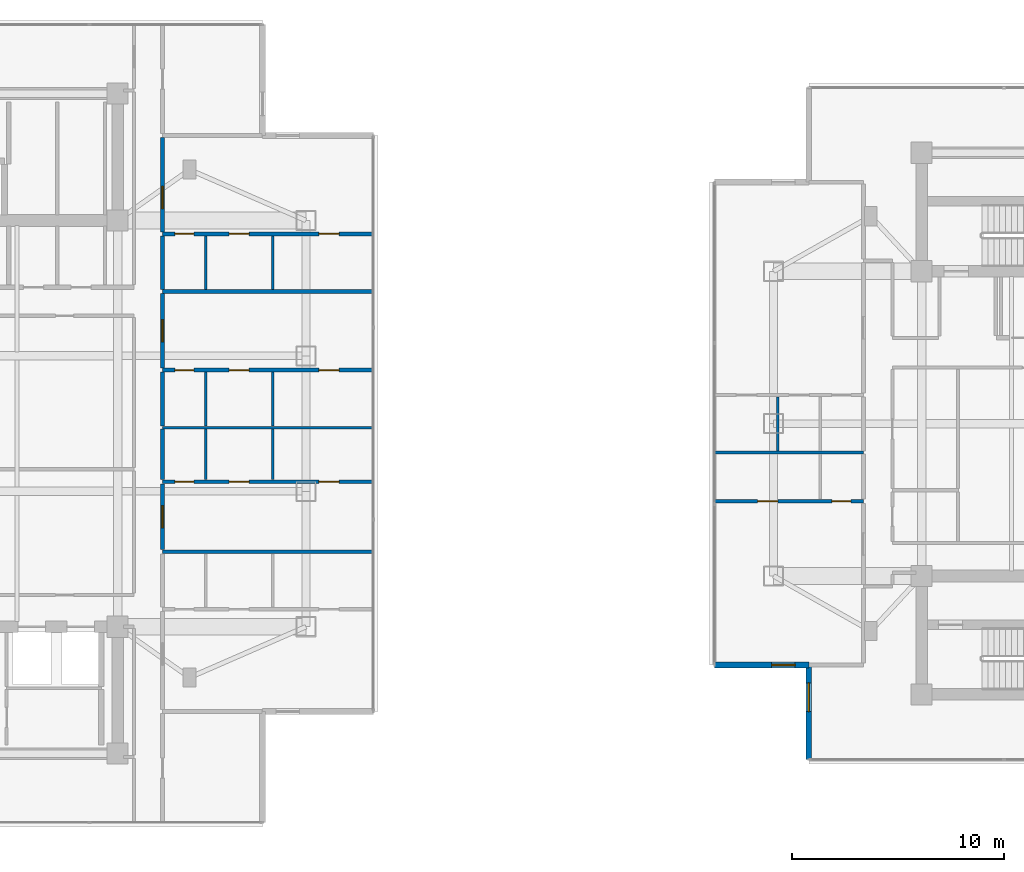
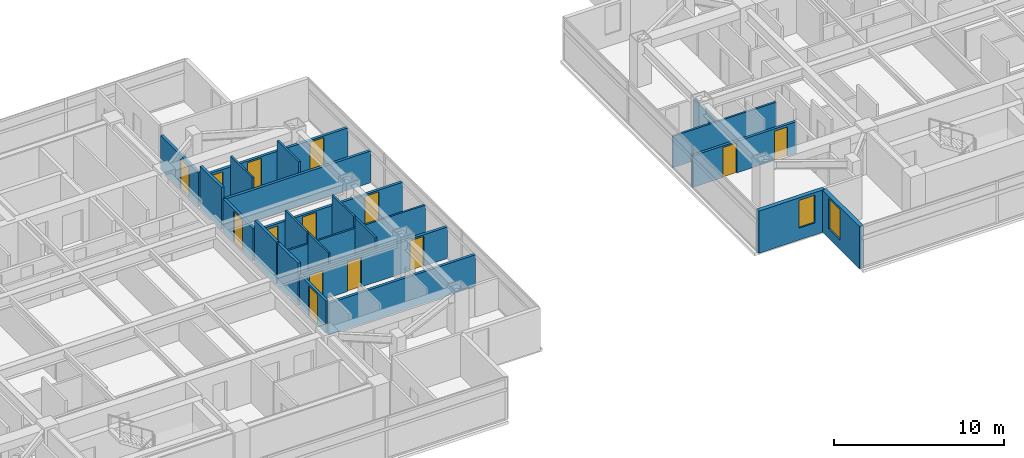
# One storey, part 15 of 25: 23 walls, 14 doors, 2 windows, 16 openings.
"""IFC4 building model written with IfcOpenShell, lengths in metres."""

from ifc_helpers import new_model, si_unit, direction, frame, frame_2d, origin, place, context, subcontext, project, spatial, rectangle, extrude, material, layer, layer_set, type_object, element, fill, save


model = new_model("IFC4")

# Units and contexts
model_context = context("Model", 3, precision=1e-05, world=origin(), true_north=direction((0.0, 1.0)))
body_context = subcontext(model_context, "Body", "Model", "MODEL_VIEW")
ifc_project = project(units=[si_unit("LENGTHUNIT", "METRE"), si_unit("AREAUNIT", "SQUARE_METRE"), si_unit("VOLUMEUNIT", "CUBIC_METRE"), si_unit("PLANEANGLEUNIT", "RADIAN"), si_unit("MASSUNIT", "GRAM", prefix="KILO")], contexts=[model_context])

# Site, building, storey
site_placement = place(None, origin())
site = spatial("IfcSite", under=ifc_project, at=site_placement, CompositionType="ELEMENT")
building_placement = place(site_placement, origin())
building = spatial("IfcBuilding", under=site, at=building_placement, Name="Mirazonda Arch Towers", CompositionType="ELEMENT")
storey_placement = place(building_placement, frame((0.0, 0.0, 177.14990234375)))
storey = spatial("IfcBuildingStorey", under=building, at=storey_placement, Name="L50", CompositionType="ELEMENT", Elevation=177.14990234375)

# Wall, opening, window
ifc_material_1 = material(Name="Precast Concrete C40/50", Category="concrete")
ifc_layer_1 = layer(ifc_material_1, 0.280029296875, Name="WALL-EXT-WALL-280")
ifc_layer_set_1 = layer_set([ifc_layer_1], Name="Precast Concrete C40/50")
wall_type_1 = type_object("IfcWallType", Name="WALL-EXT-WALL-280", PredefinedType="SOLIDWALL", material=ifc_layer_set_1)
wall_1_placement = place(storey_placement, frame((62.666748046875, 16.590576171875, 0.0), z_axis=(0.0, 0.0, 1.0), x_axis=(0.0, -1.0, 0.0)))
wall_1 = element("IfcWall", 1, at=wall_1_placement, inside=storey, type_object=wall_type_1, Name="L50 T2 Notched SW Corner Wall WL-L50-T2-CSW", PredefinedType="SOLIDWALL", context=body_context, shape_type="SweptSolid", body=[
    extrude(rectangle(XDim=4.465087890625, YDim=0.280029296875, at=frame_2d((2.232421875, 0.0))), origin(), (0.0, 0.0, 1.0), 3.030029296875),
])
opening_1_placement = place(wall_1_placement, frame((0.85009765625, 0.0, 0.679931640625)))
opening_1 = element("IfcOpeningElement", 2, at=opening_1_placement, cuts=wall_1, Name="Opening WN-104", PredefinedType="OPENING", context=body_context, shape_type="SweptSolid", body=[
    extrude(rectangle(XDim=1.35009765625, YDim=2.199951171875, at=frame_2d((0.675048828125, 1.10009765625))), frame((0.0, 0.14990234375, 0.0), z_axis=(0.0, -1.0, 0.0), x_axis=(1.0, 0.0, 0.0)), (0.0, 0.0, 1.0), 0.300048828125),
])
ifc_material_2 = material(Name="Insulated Low-E Solar Glass", Category="glass")
window_type_1 = type_object("IfcWindowType", Name="WIN-RES-1350x2200", PartitioningType="SINGLE_PANEL", PredefinedType="WINDOW", material=ifc_material_2)
window_1_placement = place(opening_1_placement, origin())
window_1 = element("IfcWindow", 3, at=window_1_placement, inside=storey, type_object=window_type_1, Name="L50 Punched Facade Window WN-L50-T2-CSW", OverallHeight=2.199951171875, OverallWidth=1.35009765625, PartitioningType="SINGLE_PANEL", PredefinedType="WINDOW", context=body_context, shape_type="SweptSolid", body=[
    extrude(rectangle(XDim=1.35009765625, YDim=2.199951171875, at=frame_2d((0.675048828125, 1.10009765625))), frame((0.0, 0.030029296875, 0.0), z_axis=(0.0, -1.0, 0.0), x_axis=(1.0, 0.0, 0.0)), (0.0, 0.0, 1.0), 0.06005859375),
])
fill(opening_1, window_1)

wall_2_placement = place(storey_placement, frame((58.201416015625, 16.590576171875, 0.0), z_axis=(0.0, 0.0, 1.0), x_axis=(1.0, 0.0, 0.0)))
wall_2 = element("IfcWall", 4, at=wall_2_placement, inside=storey, type_object=wall_type_1, Name="L50 T2 Corner Notch Return Wall WL-L50-T2-CSW2", PredefinedType="SOLIDWALL", context=body_context, shape_type="SweptSolid", body=[
    extrude(rectangle(XDim=4.46533203125, YDim=0.280029296875, at=frame_2d((2.232666015625, 0.0))), origin(), (0.0, 0.0, 1.0), 3.030029296875),
])
opening_2_placement = place(wall_2_placement, frame((2.715087890625, 0.0, 0.85009765625)))
opening_2 = element("IfcOpeningElement", 5, at=opening_2_placement, cuts=wall_2, Name="Opening WN-108", PredefinedType="OPENING", context=body_context, shape_type="SweptSolid", body=[
    extrude(rectangle(XDim=1.10009765625, YDim=2.0, at=frame_2d((0.550048828125, 1.0))), frame((0.0, 0.14990234375, 0.0), z_axis=(0.0, -1.0, 0.0), x_axis=(1.0, 0.0, 0.0)), (0.0, 0.0, 1.0), 0.300048828125),
])
window_type_2 = type_object("IfcWindowType", Name="WIN-NOTCH-1100x2000", PartitioningType="SINGLE_PANEL", PredefinedType="WINDOW", material=ifc_material_2)
window_2_placement = place(opening_2_placement, origin())
window_2 = element("IfcWindow", 6, at=window_2_placement, inside=storey, type_object=window_type_2, Name="L50 Punched Facade Window WN-L50-T2-CSW2", OverallHeight=2.0, OverallWidth=1.10009765625, PartitioningType="SINGLE_PANEL", PredefinedType="WINDOW", context=body_context, shape_type="SweptSolid", body=[
    extrude(rectangle(XDim=1.10009765625, YDim=2.0, at=frame_2d((0.550048828125, 1.0))), frame((0.0, 0.030029296875, 0.0), z_axis=(0.0, -1.0, 0.0), x_axis=(1.0, 0.0, 0.0)), (0.0, 0.0, 1.0), 0.06005859375),
])
fill(opening_2, window_2)

# Wall
ifc_material_3 = material(Name="Fire-Rated Gypsum Twin-Stud Assembly")
ifc_layer_2 = layer(ifc_material_3, 0.179931640625, Name="WALL-PART-DEMISE-180")
ifc_layer_set_2 = layer_set([ifc_layer_2], Name="Fire-Rated Gypsum Twin-Stud Assembly")
wall_type_2 = type_object("IfcWallType", Name="WALL-PART-DEMISE-180", PredefinedType="PARTITIONING", material=ifc_layer_set_2)
wall_3_placement = place(storey_placement, frame((32.1201171875, 21.945068359375, 0.0), z_axis=(0.0, 0.0, 1.0), x_axis=(1.0, 0.0, 0.0)))
element("IfcWall", 7, at=wall_3_placement, inside=storey, type_object=wall_type_2, Name="L50 Interior Partition 022", PredefinedType="PARTITIONING", context=body_context, shape_type="SweptSolid", body=[
    extrude(rectangle(XDim=9.969970703125, YDim=0.179931640625, at=frame_2d((4.98486328125, 0.0))), origin(), (0.0, 0.0, 1.0), 2.26904296875),
])

# Wall, openings, doors
wall_4_placement = place(storey_placement, frame((58.200927734375, 24.33203125, 0.0), z_axis=(0.0, 0.0, 1.0), x_axis=(1.0, 0.0, 0.0)))
wall_4 = element("IfcWall", 8, at=wall_4_placement, inside=storey, type_object=wall_type_2, Name="L50 Interior Partition 026", PredefinedType="PARTITIONING", context=body_context, shape_type="SweptSolid", body=[
    extrude(rectangle(XDim=7.049072265625, YDim=0.179931640625, at=frame_2d((3.5244140625, 0.0))), origin(), (0.0, 0.0, 1.0), 2.26904296875),
])
opening_3_placement = place(wall_4_placement, frame((2.049560546875, 0.0, 0.0)))
opening_3 = element("IfcOpeningElement", 9, at=opening_3_placement, cuts=wall_4, Name="Opening DR-104", PredefinedType="OPENING", context=body_context, shape_type="SweptSolid", body=[
    extrude(rectangle(XDim=0.949951171875, YDim=2.14990234375, at=frame_2d((0.47509765625, 1.074951171875))), frame((0.0, 0.099853515625, 0.0), z_axis=(0.0, -1.0, 0.0), x_axis=(1.0, 0.0, 0.0)), (0.0, 0.0, 1.0), 0.199951171875),
])
opening_4_placement = place(wall_4_placement, frame((5.55908203125, 0.0, 0.0)))
opening_4 = element("IfcOpeningElement", 10, at=opening_4_placement, cuts=wall_4, Name="Opening DR-120", PredefinedType="OPENING", context=body_context, shape_type="SweptSolid", body=[
    extrude(rectangle(XDim=0.89990234375, YDim=2.10009765625, at=frame_2d((0.449951171875, 1.050048828125))), frame((0.0, 0.099853515625, 0.0), z_axis=(0.0, -1.0, 0.0), x_axis=(1.0, 0.0, 0.0)), (0.0, 0.0, 1.0), 0.199951171875),
])
ifc_material_4 = material(Name="Architectural Brushed Steel S355", Category="steel")
door_type_1 = type_object("IfcDoorType", Name="DOOR-ROOM-950", OperationType="NOTDEFINED", PredefinedType="DOOR", material=ifc_material_4)
door_1_placement = place(opening_3_placement, origin())
door_1 = element("IfcDoor", 11, at=door_1_placement, inside=storey, type_object=door_type_1, Name="L50 Studio 1 Galley Kitchen Door", OperationType="SINGLE_SWING_LEFT", OverallHeight=2.14990234375, OverallWidth=0.949951171875, PredefinedType="DOOR", context=body_context, shape_type="SweptSolid", body=[
    extrude(rectangle(XDim=0.949951171875, YDim=2.14990234375, at=frame_2d((0.47509765625, 1.074951171875))), frame((0.0, 0.02490234375, 0.0), z_axis=(0.0, -1.0, 0.0), x_axis=(1.0, 0.0, 0.0)), (0.0, 0.0, 1.0), 0.050048828125),
])
fill(opening_3, door_1)
door_type_2 = type_object("IfcDoorType", Name="DOOR-WC-900", OperationType="NOTDEFINED", PredefinedType="DOOR", material=ifc_material_4)
door_2_placement = place(opening_4_placement, origin())
door_2 = element("IfcDoor", 12, at=door_2_placement, inside=storey, type_object=door_type_2, Name="L50 Studio 1 Bathroom Door", OperationType="SINGLE_SWING_RIGHT", OverallHeight=2.10009765625, OverallWidth=0.89990234375, PredefinedType="DOOR", context=body_context, shape_type="SweptSolid", body=[
    extrude(rectangle(XDim=0.89990234375, YDim=2.10009765625, at=frame_2d((0.449951171875, 1.050048828125))), frame((0.0, 0.02490234375, 0.0), z_axis=(0.0, -1.0, 0.0), x_axis=(1.0, 0.0, 0.0)), (0.0, 0.0, 1.0), 0.050048828125),
])
fill(opening_4, door_2)

wall_5_placement = place(storey_placement, frame((32.1201171875, 25.2490234375, 0.0), z_axis=(0.0, 0.0, 1.0), x_axis=(1.0, 0.0, 0.0)))
wall_5 = element("IfcWall", 13, at=wall_5_placement, inside=storey, type_object=wall_type_2, Name="L50 Interior Partition 030", PredefinedType="PARTITIONING", context=body_context, shape_type="SweptSolid", body=[
    extrude(rectangle(XDim=9.969970703125, YDim=0.179931640625, at=frame_2d((4.98486328125, 0.0))), origin(), (0.0, 0.0, 1.0), 2.26904296875),
])
opening_5_placement = place(wall_5_placement, frame((7.39599609375, 0.0, 0.0)))
opening_5 = element("IfcOpeningElement", 14, at=opening_5_placement, cuts=wall_5, Name="Opening DR-104", PredefinedType="OPENING", context=body_context, shape_type="SweptSolid", body=[
    extrude(rectangle(XDim=0.949951171875, YDim=2.14990234375, at=frame_2d((0.47509765625, 1.074951171875))), frame((0.0, 0.099853515625, 0.0), z_axis=(0.0, -1.0, 0.0), x_axis=(1.0, 0.0, 0.0)), (0.0, 0.0, 1.0), 0.199951171875),
])
opening_6_placement = place(wall_5_placement, frame((3.15087890625, 0.0, 0.0)))
opening_6 = element("IfcOpeningElement", 15, at=opening_6_placement, cuts=wall_5, Name="Opening DR-104", PredefinedType="OPENING", context=body_context, shape_type="SweptSolid", body=[
    extrude(rectangle(XDim=0.949951171875, YDim=2.14990234375, at=frame_2d((0.47509765625, 1.074951171875))), frame((0.0, 0.099853515625, 0.0), z_axis=(0.0, -1.0, 0.0), x_axis=(1.0, 0.0, 0.0)), (0.0, 0.0, 1.0), 0.199951171875),
])
opening_7_placement = place(wall_5_placement, frame((0.590087890625, 0.0, 0.0)))
opening_7 = element("IfcOpeningElement", 16, at=opening_7_placement, cuts=wall_5, Name="Opening DR-120", PredefinedType="OPENING", context=body_context, shape_type="SweptSolid", body=[
    extrude(rectangle(XDim=0.89990234375, YDim=2.10009765625, at=frame_2d((0.449951171875, 1.050048828125))), frame((0.0, 0.099853515625, 0.0), z_axis=(0.0, -1.0, 0.0), x_axis=(1.0, 0.0, 0.0)), (0.0, 0.0, 1.0), 0.199951171875),
])
door_3_placement = place(opening_5_placement, origin())
door_3 = element("IfcDoor", 17, at=door_3_placement, inside=storey, type_object=door_type_1, Name="L50 Residence 2 Principal Bedroom Door", OperationType="SINGLE_SWING_LEFT", OverallHeight=2.14990234375, OverallWidth=0.949951171875, PredefinedType="DOOR", context=body_context, shape_type="SweptSolid", body=[
    extrude(rectangle(XDim=0.949951171875, YDim=2.14990234375, at=frame_2d((0.47509765625, 1.074951171875))), frame((0.0, 0.02490234375, 0.0), z_axis=(0.0, -1.0, 0.0), x_axis=(1.0, 0.0, 0.0)), (0.0, 0.0, 1.0), 0.050048828125),
])
fill(opening_5, door_3)
door_4_placement = place(opening_6_placement, origin())
door_4 = element("IfcDoor", 18, at=door_4_placement, inside=storey, type_object=door_type_1, Name="L50 Residence 2 Fitted Kitchen Door", OperationType="SINGLE_SWING_RIGHT", OverallHeight=2.14990234375, OverallWidth=0.949951171875, PredefinedType="DOOR", context=body_context, shape_type="SweptSolid", body=[
    extrude(rectangle(XDim=0.949951171875, YDim=2.14990234375, at=frame_2d((0.47509765625, 1.074951171875))), frame((0.0, 0.02490234375, 0.0), z_axis=(0.0, -1.0, 0.0), x_axis=(1.0, 0.0, 0.0)), (0.0, 0.0, 1.0), 0.050048828125),
])
fill(opening_6, door_4)
door_5_placement = place(opening_7_placement, origin())
door_5 = element("IfcDoor", 19, at=door_5_placement, inside=storey, type_object=door_type_2, Name="L50 Residence 2 Bathroom Door", OperationType="SINGLE_SWING_LEFT", OverallHeight=2.10009765625, OverallWidth=0.89990234375, PredefinedType="DOOR", context=body_context, shape_type="SweptSolid", body=[
    extrude(rectangle(XDim=0.89990234375, YDim=2.10009765625, at=frame_2d((0.449951171875, 1.050048828125))), frame((0.0, 0.02490234375, 0.0), z_axis=(0.0, -1.0, 0.0), x_axis=(1.0, 0.0, 0.0)), (0.0, 0.0, 1.0), 0.050048828125),
])
fill(opening_7, door_5)

wall_6_placement = place(storey_placement, frame((32.1201171875, 30.531005859375, 0.0), z_axis=(0.0, 0.0, 1.0), x_axis=(1.0, 0.0, 0.0)))
wall_6 = element("IfcWall", 20, at=wall_6_placement, inside=storey, type_object=wall_type_2, Name="L50 Interior Partition 041", PredefinedType="PARTITIONING", context=body_context, shape_type="SweptSolid", body=[
    extrude(rectangle(XDim=9.969970703125, YDim=0.179931640625, at=frame_2d((4.98486328125, 0.0))), origin(), (0.0, 0.0, 1.0), 2.26904296875),
])
opening_8_placement = place(wall_6_placement, frame((7.39599609375, 0.0, 0.0)))
opening_8 = element("IfcOpeningElement", 21, at=opening_8_placement, cuts=wall_6, Name="Opening DR-104", PredefinedType="OPENING", context=body_context, shape_type="SweptSolid", body=[
    extrude(rectangle(XDim=0.949951171875, YDim=2.14990234375, at=frame_2d((0.47509765625, 1.074951171875))), frame((0.0, 0.099853515625, 0.0), z_axis=(0.0, -1.0, 0.0), x_axis=(1.0, 0.0, 0.0)), (0.0, 0.0, 1.0), 0.199951171875),
])
opening_9_placement = place(wall_6_placement, frame((3.15087890625, 0.0, 0.0)))
opening_9 = element("IfcOpeningElement", 22, at=opening_9_placement, cuts=wall_6, Name="Opening DR-104", PredefinedType="OPENING", context=body_context, shape_type="SweptSolid", body=[
    extrude(rectangle(XDim=0.949951171875, YDim=2.14990234375, at=frame_2d((0.47509765625, 1.074951171875))), frame((0.0, 0.099853515625, 0.0), z_axis=(0.0, -1.0, 0.0), x_axis=(1.0, 0.0, 0.0)), (0.0, 0.0, 1.0), 0.199951171875),
])
opening_10_placement = place(wall_6_placement, frame((0.590087890625, 0.0, 0.0)))
opening_10 = element("IfcOpeningElement", 23, at=opening_10_placement, cuts=wall_6, Name="Opening DR-120", PredefinedType="OPENING", context=body_context, shape_type="SweptSolid", body=[
    extrude(rectangle(XDim=0.89990234375, YDim=2.10009765625, at=frame_2d((0.449951171875, 1.050048828125))), frame((0.0, 0.099853515625, 0.0), z_axis=(0.0, -1.0, 0.0), x_axis=(1.0, 0.0, 0.0)), (0.0, 0.0, 1.0), 0.199951171875),
])
door_6_placement = place(opening_8_placement, origin())
door_6 = element("IfcDoor", 24, at=door_6_placement, inside=storey, type_object=door_type_1, Name="L50 Residence 3 Principal Bedroom Door", OperationType="SINGLE_SWING_LEFT", OverallHeight=2.14990234375, OverallWidth=0.949951171875, PredefinedType="DOOR", context=body_context, shape_type="SweptSolid", body=[
    extrude(rectangle(XDim=0.949951171875, YDim=2.14990234375, at=frame_2d((0.47509765625, 1.074951171875))), frame((0.0, 0.02490234375, 0.0), z_axis=(0.0, -1.0, 0.0), x_axis=(1.0, 0.0, 0.0)), (0.0, 0.0, 1.0), 0.050048828125),
])
fill(opening_8, door_6)
door_7_placement = place(opening_9_placement, origin())
door_7 = element("IfcDoor", 25, at=door_7_placement, inside=storey, type_object=door_type_1, Name="L50 Residence 3 Fitted Kitchen Door", OperationType="SINGLE_SWING_RIGHT", OverallHeight=2.14990234375, OverallWidth=0.949951171875, PredefinedType="DOOR", context=body_context, shape_type="SweptSolid", body=[
    extrude(rectangle(XDim=0.949951171875, YDim=2.14990234375, at=frame_2d((0.47509765625, 1.074951171875))), frame((0.0, 0.02490234375, 0.0), z_axis=(0.0, -1.0, 0.0), x_axis=(1.0, 0.0, 0.0)), (0.0, 0.0, 1.0), 0.050048828125),
])
fill(opening_9, door_7)
door_8_placement = place(opening_10_placement, origin())
door_8 = element("IfcDoor", 26, at=door_8_placement, inside=storey, type_object=door_type_2, Name="L50 Residence 3 Bathroom Door", OperationType="SINGLE_SWING_LEFT", OverallHeight=2.10009765625, OverallWidth=0.89990234375, PredefinedType="DOOR", context=body_context, shape_type="SweptSolid", body=[
    extrude(rectangle(XDim=0.89990234375, YDim=2.10009765625, at=frame_2d((0.449951171875, 1.050048828125))), frame((0.0, 0.02490234375, 0.0), z_axis=(0.0, -1.0, 0.0), x_axis=(1.0, 0.0, 0.0)), (0.0, 0.0, 1.0), 0.050048828125),
])
fill(opening_10, door_8)

# Wall
wall_7_placement = place(storey_placement, frame((32.1201171875, 34.243896484375, 0.0), z_axis=(0.0, 0.0, 1.0), x_axis=(1.0, 0.0, 0.0)))
element("IfcWall", 27, at=wall_7_placement, inside=storey, type_object=wall_type_2, Name="L50 Interior Partition 048", PredefinedType="PARTITIONING", context=body_context, shape_type="SweptSolid", body=[
    extrude(rectangle(XDim=9.969970703125, YDim=0.179931640625, at=frame_2d((4.98486328125, 0.0))), origin(), (0.0, 0.0, 1.0), 2.26904296875),
])

# Wall, openings, doors
wall_8_placement = place(storey_placement, frame((32.1201171875, 36.964111328125, 0.0), z_axis=(0.0, 0.0, 1.0), x_axis=(1.0, 0.0, 0.0)))
wall_8 = element("IfcWall", 28, at=wall_8_placement, inside=storey, type_object=wall_type_2, Name="L50 Interior Partition 054", PredefinedType="PARTITIONING", context=body_context, shape_type="SweptSolid", body=[
    extrude(rectangle(XDim=9.969970703125, YDim=0.179931640625, at=frame_2d((4.98486328125, 0.0))), origin(), (0.0, 0.0, 1.0), 2.26904296875),
])
opening_11_placement = place(wall_8_placement, frame((7.39599609375, 0.0, 0.0)))
opening_11 = element("IfcOpeningElement", 29, at=opening_11_placement, cuts=wall_8, Name="Opening DR-104", PredefinedType="OPENING", context=body_context, shape_type="SweptSolid", body=[
    extrude(rectangle(XDim=0.949951171875, YDim=2.14990234375, at=frame_2d((0.47509765625, 1.074951171875))), frame((0.0, 0.099853515625, 0.0), z_axis=(0.0, -1.0, 0.0), x_axis=(1.0, 0.0, 0.0)), (0.0, 0.0, 1.0), 0.199951171875),
])
opening_12_placement = place(wall_8_placement, frame((3.15087890625, 0.0, 0.0)))
opening_12 = element("IfcOpeningElement", 30, at=opening_12_placement, cuts=wall_8, Name="Opening DR-104", PredefinedType="OPENING", context=body_context, shape_type="SweptSolid", body=[
    extrude(rectangle(XDim=0.949951171875, YDim=2.14990234375, at=frame_2d((0.47509765625, 1.074951171875))), frame((0.0, 0.099853515625, 0.0), z_axis=(0.0, -1.0, 0.0), x_axis=(1.0, 0.0, 0.0)), (0.0, 0.0, 1.0), 0.199951171875),
])
opening_13_placement = place(wall_8_placement, frame((0.590087890625, 0.0, 0.0)))
opening_13 = element("IfcOpeningElement", 31, at=opening_13_placement, cuts=wall_8, Name="Opening DR-120", PredefinedType="OPENING", context=body_context, shape_type="SweptSolid", body=[
    extrude(rectangle(XDim=0.89990234375, YDim=2.10009765625, at=frame_2d((0.449951171875, 1.050048828125))), frame((0.0, 0.099853515625, 0.0), z_axis=(0.0, -1.0, 0.0), x_axis=(1.0, 0.0, 0.0)), (0.0, 0.0, 1.0), 0.199951171875),
])
door_9_placement = place(opening_11_placement, origin())
door_9 = element("IfcDoor", 32, at=door_9_placement, inside=storey, type_object=door_type_1, Name="L50 Residence 4 Principal Bedroom Door", OperationType="SINGLE_SWING_LEFT", OverallHeight=2.14990234375, OverallWidth=0.949951171875, PredefinedType="DOOR", context=body_context, shape_type="SweptSolid", body=[
    extrude(rectangle(XDim=0.949951171875, YDim=2.14990234375, at=frame_2d((0.47509765625, 1.074951171875))), frame((0.0, 0.02490234375, 0.0), z_axis=(0.0, -1.0, 0.0), x_axis=(1.0, 0.0, 0.0)), (0.0, 0.0, 1.0), 0.050048828125),
])
fill(opening_11, door_9)
door_10_placement = place(opening_12_placement, origin())
door_10 = element("IfcDoor", 33, at=door_10_placement, inside=storey, type_object=door_type_1, Name="L50 Residence 4 Fitted Kitchen Door", OperationType="SINGLE_SWING_RIGHT", OverallHeight=2.14990234375, OverallWidth=0.949951171875, PredefinedType="DOOR", context=body_context, shape_type="SweptSolid", body=[
    extrude(rectangle(XDim=0.949951171875, YDim=2.14990234375, at=frame_2d((0.47509765625, 1.074951171875))), frame((0.0, 0.02490234375, 0.0), z_axis=(0.0, -1.0, 0.0), x_axis=(1.0, 0.0, 0.0)), (0.0, 0.0, 1.0), 0.050048828125),
])
fill(opening_12, door_10)
door_11_placement = place(opening_13_placement, origin())
door_11 = element("IfcDoor", 34, at=door_11_placement, inside=storey, type_object=door_type_2, Name="L50 Residence 4 Bathroom Door", OperationType="SINGLE_SWING_LEFT", OverallHeight=2.10009765625, OverallWidth=0.89990234375, PredefinedType="DOOR", context=body_context, shape_type="SweptSolid", body=[
    extrude(rectangle(XDim=0.89990234375, YDim=2.10009765625, at=frame_2d((0.449951171875, 1.050048828125))), frame((0.0, 0.02490234375, 0.0), z_axis=(0.0, -1.0, 0.0), x_axis=(1.0, 0.0, 0.0)), (0.0, 0.0, 1.0), 0.050048828125),
])
fill(opening_13, door_11)

# Wall, opening, door
wall_9_placement = place(storey_placement, frame((32.1201171875, 22.044921875, 0.0), z_axis=(0.0, 0.0, 1.0), x_axis=(0.0, 1.0, 0.0)))
wall_9 = element("IfcWall", 35, at=wall_9_placement, inside=storey, type_object=wall_type_2, Name="L50 Interior Partition 123", PredefinedType="PARTITIONING", context=body_context, shape_type="SweptSolid", body=[
    extrude(rectangle(XDim=3.10400390625, YDim=0.179931640625, at=frame_2d((1.552001953125, 0.0))), origin(), (0.0, 0.0, 1.0), 2.34619140625),
])
opening_14_placement = place(wall_9_placement, frame((1.027099609375, 0.0, 0.0)))
opening_14 = element("IfcOpeningElement", 36, at=opening_14_placement, cuts=wall_9, Name="Opening DR-121", PredefinedType="OPENING", context=body_context, shape_type="SweptSolid", body=[
    extrude(rectangle(XDim=1.050048828125, YDim=2.199951171875, at=frame_2d((0.52490234375, 1.10009765625))), frame((0.0, 0.099853515625, 0.0), z_axis=(0.0, -1.0, 0.0), x_axis=(1.0, 0.0, 0.0)), (0.0, 0.0, 1.0), 0.199951171875),
])
door_type_3 = type_object("IfcDoorType", Name="DOOR-SUITE-FD60-1050", OperationType="NOTDEFINED", PredefinedType="DOOR", material=ifc_material_4)
door_12_placement = place(opening_14_placement, origin())
door_12 = element("IfcDoor", 37, at=door_12_placement, inside=storey, type_object=door_type_3, Name="L50 Residence 2 Living & Dining Salon Door", OperationType="SINGLE_SWING_RIGHT", OverallHeight=2.199951171875, OverallWidth=1.050048828125, PredefinedType="DOOR", context=body_context, shape_type="SweptSolid", body=[
    extrude(rectangle(XDim=1.050048828125, YDim=2.199951171875, at=frame_2d((0.52490234375, 1.10009765625))), frame((0.0, 0.02490234375, 0.0), z_axis=(0.0, -1.0, 0.0), x_axis=(1.0, 0.0, 0.0)), (0.0, 0.0, 1.0), 0.050048828125),
])
fill(opening_14, door_12)

# Walls
wall_10_placement = place(storey_placement, frame((32.1201171875, 25.34912109375, 0.0), z_axis=(0.0, 0.0, 1.0), x_axis=(0.0, 1.0, 0.0)))
element("IfcWall", 38, at=wall_10_placement, inside=storey, type_object=wall_type_2, Name="L50 Interior Partition 124", PredefinedType="PARTITIONING", context=body_context, shape_type="SweptSolid", body=[
    extrude(rectangle(XDim=2.389404296875, YDim=0.179931640625, at=frame_2d((1.19482421875, 0.0))), origin(), (0.0, 0.0, 1.0), 3.050048828125),
])
wall_11_placement = place(storey_placement, frame((32.1201171875, 27.883544921875, 0.0), z_axis=(0.0, 0.0, 1.0), x_axis=(0.0, 1.0, 0.0)))
element("IfcWall", 39, at=wall_11_placement, inside=storey, type_object=wall_type_2, Name="L50 Interior Partition 125", PredefinedType="PARTITIONING", context=body_context, shape_type="SweptSolid", body=[
    extrude(rectangle(XDim=2.54736328125, YDim=0.179931640625, at=frame_2d((1.273681640625, 0.0))), origin(), (0.0, 0.0, 1.0), 3.050048828125),
])

# Wall, opening, door
wall_12_placement = place(storey_placement, frame((32.1201171875, 30.631103515625, 0.0), z_axis=(0.0, 0.0, 1.0), x_axis=(0.0, 1.0, 0.0)))
wall_12 = element("IfcWall", 40, at=wall_12_placement, inside=storey, type_object=wall_type_2, Name="L50 Interior Partition 126", PredefinedType="PARTITIONING", context=body_context, shape_type="SweptSolid", body=[
    extrude(rectangle(XDim=3.512939453125, YDim=0.179931640625, at=frame_2d((1.75634765625, 0.0))), origin(), (0.0, 0.0, 1.0), 2.34619140625),
])
opening_15_placement = place(wall_12_placement, frame((1.2314453125, 0.0, 0.0)))
opening_15 = element("IfcOpeningElement", 41, at=opening_15_placement, cuts=wall_12, Name="Opening DR-121", PredefinedType="OPENING", context=body_context, shape_type="SweptSolid", body=[
    extrude(rectangle(XDim=1.050048828125, YDim=2.199951171875, at=frame_2d((0.52490234375, 1.10009765625))), frame((0.0, 0.099853515625, 0.0), z_axis=(0.0, -1.0, 0.0), x_axis=(1.0, 0.0, 0.0)), (0.0, 0.0, 1.0), 0.199951171875),
])
door_13_placement = place(opening_15_placement, origin())
door_13 = element("IfcDoor", 42, at=door_13_placement, inside=storey, type_object=door_type_3, Name="L50 Residence 3 Living & Dining Salon Door", OperationType="SINGLE_SWING_RIGHT", OverallHeight=2.199951171875, OverallWidth=1.050048828125, PredefinedType="DOOR", context=body_context, shape_type="SweptSolid", body=[
    extrude(rectangle(XDim=1.050048828125, YDim=2.199951171875, at=frame_2d((0.52490234375, 1.10009765625))), frame((0.0, 0.02490234375, 0.0), z_axis=(0.0, -1.0, 0.0), x_axis=(1.0, 0.0, 0.0)), (0.0, 0.0, 1.0), 0.050048828125),
])
fill(opening_15, door_13)

# Wall
wall_13_placement = place(storey_placement, frame((32.1201171875, 34.343994140625, 0.0), z_axis=(0.0, 0.0, 1.0), x_axis=(0.0, 1.0, 0.0)))
element("IfcWall", 43, at=wall_13_placement, inside=storey, type_object=wall_type_2, Name="L50 Interior Partition 127", PredefinedType="PARTITIONING", context=body_context, shape_type="SweptSolid", body=[
    extrude(rectangle(XDim=2.52001953125, YDim=0.179931640625, at=frame_2d((1.260009765625, 0.0))), origin(), (0.0, 0.0, 1.0), 3.050048828125),
])

# Wall, opening, door
wall_14_placement = place(storey_placement, frame((32.1201171875, 37.06396484375, 0.0), z_axis=(0.0, 0.0, 1.0), x_axis=(0.0, 1.0, 0.0)))
wall_14 = element("IfcWall", 44, at=wall_14_placement, inside=storey, type_object=wall_type_2, Name="L50 Interior Partition 128", PredefinedType="PARTITIONING", context=body_context, shape_type="SweptSolid", body=[
    extrude(rectangle(XDim=4.447021484375, YDim=0.179931640625, at=frame_2d((2.2236328125, 0.0))), origin(), (0.0, 0.0, 1.0), 2.442138671875),
])
opening_16_placement = place(wall_14_placement, frame((1.098388671875, 0.0, 0.0)))
opening_16 = element("IfcOpeningElement", 45, at=opening_16_placement, cuts=wall_14, Name="Opening DR-121", PredefinedType="OPENING", context=body_context, shape_type="SweptSolid", body=[
    extrude(rectangle(XDim=1.050048828125, YDim=2.199951171875, at=frame_2d((0.52490234375, 1.10009765625))), frame((0.0, 0.099853515625, 0.0), z_axis=(0.0, -1.0, 0.0), x_axis=(1.0, 0.0, 0.0)), (0.0, 0.0, 1.0), 0.199951171875),
])
door_14_placement = place(opening_16_placement, origin())
door_14 = element("IfcDoor", 46, at=door_14_placement, inside=storey, type_object=door_type_3, Name="L50 Residence 4 Living & Dining Salon Door", OperationType="SINGLE_SWING_RIGHT", OverallHeight=2.199951171875, OverallWidth=1.050048828125, PredefinedType="DOOR", context=body_context, shape_type="SweptSolid", body=[
    extrude(rectangle(XDim=1.050048828125, YDim=2.199951171875, at=frame_2d((0.52490234375, 1.10009765625))), frame((0.0, 0.02490234375, 0.0), z_axis=(0.0, -1.0, 0.0), x_axis=(1.0, 0.0, 0.0)), (0.0, 0.0, 1.0), 0.050048828125),
])
fill(opening_16, door_14)

# Walls
ifc_material_5 = material(Name="Acoustic Fire-Rated Gypsum Partition")
ifc_layer_3 = layer(ifc_material_5, 0.125, Name="WALL-PART-UNIT-125")
ifc_layer_set_3 = layer_set([ifc_layer_3], Name="Acoustic Fire-Rated Gypsum Partition")
wall_type_3 = type_object("IfcWallType", Name="WALL-PART-UNIT-125", PredefinedType="PARTITIONING", material=ifc_layer_set_3)
wall_15_placement = place(storey_placement, frame((58.200927734375, 26.632080078125, 0.0), z_axis=(0.0, 0.0, 1.0), x_axis=(1.0, 0.0, 0.0)))
element("IfcWall", 47, at=wall_15_placement, inside=storey, type_object=wall_type_3, Name="L50 Interior Partition 033", PredefinedType="PARTITIONING", context=body_context, shape_type="SweptSolid", body=[
    extrude(rectangle(XDim=7.049072265625, YDim=0.125, at=frame_2d((3.5244140625, 0.0))), origin(), (0.0, 0.0, 1.0), 2.26904296875),
])
wall_16_placement = place(storey_placement, frame((32.1201171875, 27.81103515625, 0.0), z_axis=(0.0, 0.0, 1.0), x_axis=(1.0, 0.0, 0.0)))
element("IfcWall", 48, at=wall_16_placement, inside=storey, type_object=wall_type_3, Name="L50 Interior Partition 037", PredefinedType="PARTITIONING", context=body_context, shape_type="SweptSolid", body=[
    extrude(rectangle(XDim=9.969970703125, YDim=0.125, at=frame_2d((4.98486328125, 0.0))), origin(), (0.0, 0.0, 1.0), 2.26904296875),
])
wall_17_placement = place(storey_placement, frame((34.159912109375, 25.34912109375, 0.0), z_axis=(0.0, 0.0, 1.0), x_axis=(0.0, 1.0, 0.0)))
element("IfcWall", 49, at=wall_17_placement, inside=storey, type_object=wall_type_3, Name="L50 Interior Partition 131", PredefinedType="PARTITIONING", context=body_context, shape_type="SweptSolid", body=[
    extrude(rectangle(XDim=2.389404296875, YDim=0.125, at=frame_2d((1.19482421875, 0.0))), origin(), (0.0, 0.0, 1.0), 3.050048828125),
])
wall_18_placement = place(storey_placement, frame((34.159912109375, 27.883544921875, 0.0), z_axis=(0.0, 0.0, 1.0), x_axis=(0.0, 1.0, 0.0)))
element("IfcWall", 50, at=wall_18_placement, inside=storey, type_object=wall_type_3, Name="L50 Interior Partition 132", PredefinedType="PARTITIONING", context=body_context, shape_type="SweptSolid", body=[
    extrude(rectangle(XDim=2.54736328125, YDim=0.125, at=frame_2d((1.273681640625, 0.0))), origin(), (0.0, 0.0, 1.0), 3.050048828125),
])
wall_19_placement = place(storey_placement, frame((34.159912109375, 34.343994140625, 0.0), z_axis=(0.0, 0.0, 1.0), x_axis=(0.0, 1.0, 0.0)))
element("IfcWall", 51, at=wall_19_placement, inside=storey, type_object=wall_type_3, Name="L50 Interior Partition 133", PredefinedType="PARTITIONING", context=body_context, shape_type="SweptSolid", body=[
    extrude(rectangle(XDim=2.52001953125, YDim=0.125, at=frame_2d((1.260009765625, 0.0))), origin(), (0.0, 0.0, 1.0), 3.050048828125),
])
wall_20_placement = place(storey_placement, frame((37.33203125, 25.34912109375, 0.0), z_axis=(0.0, 0.0, 1.0), x_axis=(0.0, 1.0, 0.0)))
element("IfcWall", 52, at=wall_20_placement, inside=storey, type_object=wall_type_3, Name="L50 Interior Partition 135", PredefinedType="PARTITIONING", context=body_context, shape_type="SweptSolid", body=[
    extrude(rectangle(XDim=2.389404296875, YDim=0.125, at=frame_2d((1.19482421875, 0.0))), origin(), (0.0, 0.0, 1.0), 3.050048828125),
])
wall_21_placement = place(storey_placement, frame((37.33203125, 27.883544921875, 0.0), z_axis=(0.0, 0.0, 1.0), x_axis=(0.0, 1.0, 0.0)))
element("IfcWall", 53, at=wall_21_placement, inside=storey, type_object=wall_type_3, Name="L50 Interior Partition 136", PredefinedType="PARTITIONING", context=body_context, shape_type="SweptSolid", body=[
    extrude(rectangle(XDim=2.54736328125, YDim=0.125, at=frame_2d((1.273681640625, 0.0))), origin(), (0.0, 0.0, 1.0), 3.050048828125),
])
wall_22_placement = place(storey_placement, frame((37.33203125, 34.343994140625, 0.0), z_axis=(0.0, 0.0, 1.0), x_axis=(0.0, 1.0, 0.0)))
element("IfcWall", 54, at=wall_22_placement, inside=storey, type_object=wall_type_3, Name="L50 Interior Partition 137", PredefinedType="PARTITIONING", context=body_context, shape_type="SweptSolid", body=[
    extrude(rectangle(XDim=2.52001953125, YDim=0.125, at=frame_2d((1.260009765625, 0.0))), origin(), (0.0, 0.0, 1.0), 3.050048828125),
])
wall_23_placement = place(storey_placement, frame((61.2060546875, 26.70458984375, 0.0), z_axis=(0.0, 0.0, 1.0), x_axis=(0.0, 1.0, 0.0)))
element("IfcWall", 55, at=wall_23_placement, inside=storey, type_object=wall_type_3, Name="L50 Interior Partition 138", PredefinedType="PARTITIONING", context=body_context, shape_type="SweptSolid", body=[
    extrude(rectangle(XDim=2.5625, YDim=0.125, at=frame_2d((1.28125, 0.0))), origin(), (0.0, 0.0, 1.0), 2.26904296875),
])

save(model, "model.ifc")
